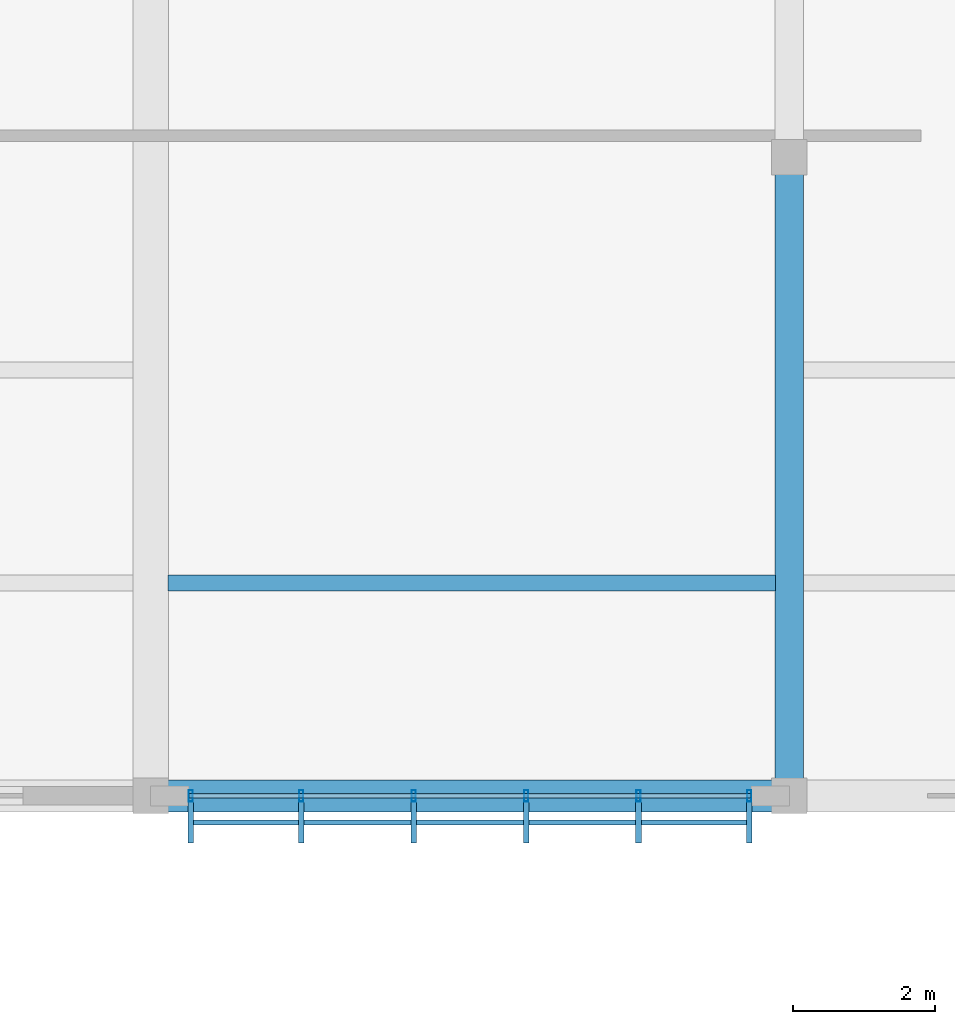
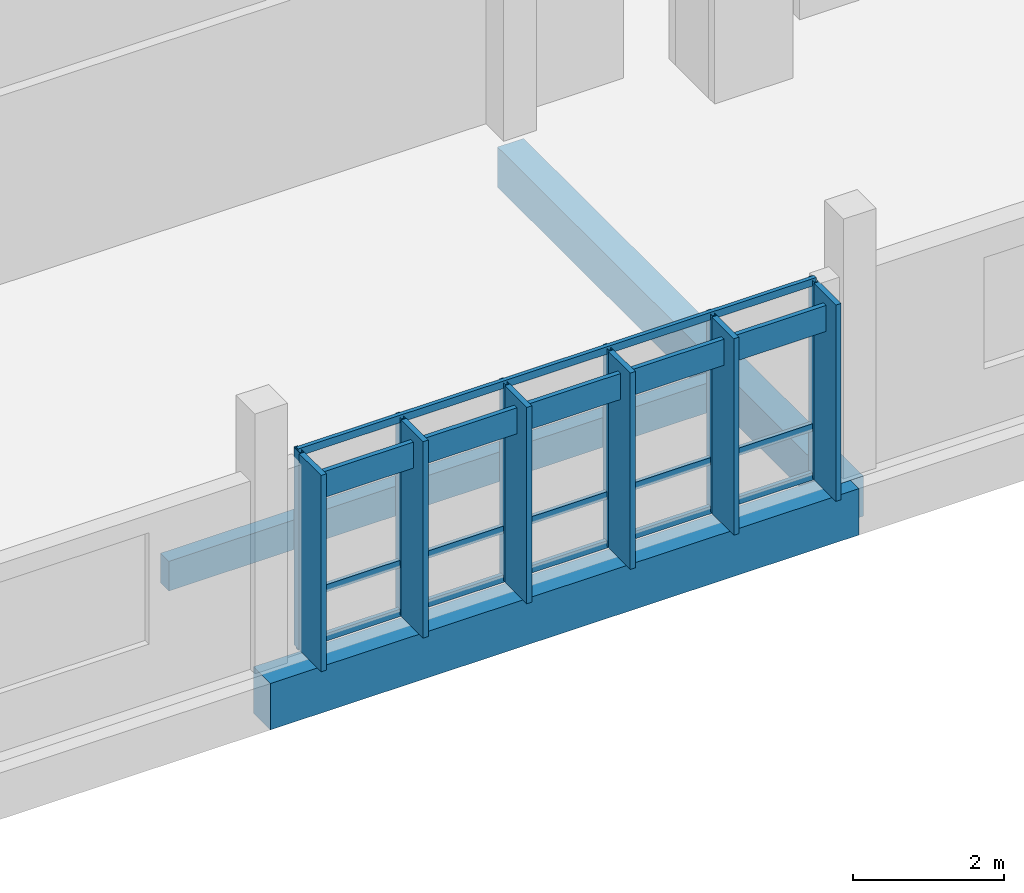
# One storey, part 41 of 107: 16 members, 3 beams, 1 element without a shape of its own.
"""IFC4 building model written with IfcOpenShell, lengths in metres."""

from ifc_helpers import new_model, si_unit, direction, frame, origin, origin_2d, place, context, subcontext, project, spatial, rectangle, hollow_rectangle, extrude, material, material_profile, profile_set, type_object, element, aggregate, save


model = new_model("IFC4")

# Units and contexts
model_context = context("Model", 3, precision=1e-05, world=origin(), true_north=direction((0.0, 1.0)))
body_context = subcontext(model_context, "Body", "Model", "MODEL_VIEW")
ifc_project = project(units=[si_unit("LENGTHUNIT", "METRE"), si_unit("AREAUNIT", "SQUARE_METRE"), si_unit("VOLUMEUNIT", "CUBIC_METRE"), si_unit("PLANEANGLEUNIT", "RADIAN"), si_unit("MASSUNIT", "GRAM", prefix="KILO")], contexts=[model_context])

# Site, building, storey
site_placement = place(None, origin())
site = spatial("IfcSite", under=ifc_project, at=site_placement, CompositionType="ELEMENT")
building_placement = place(site_placement, origin())
building = spatial("IfcBuilding", under=site, at=building_placement, Name="Chiffa Square Polytechnic", CompositionType="ELEMENT")
storey_placement = place(building_placement, frame((0.0, 0.0, 13.800048828125)))
storey = spatial("IfcBuildingStorey", under=building, at=storey_placement, Name="L03", CompositionType="ELEMENT", Elevation=13.800048828125)

# Beams
ifc_material_1 = material(Name="Concrete C35/45", Category="concrete")
ifc_material_profile_1 = material_profile(ifc_material_1, rectangle(XDim=0.39990234375, YDim=0.64990234375, at=origin_2d()), Name="RC 400x650")
ifc_profile_set_1 = profile_set([ifc_material_profile_1], Name="Concrete C35/45")
beam_type_1 = type_object("IfcBeamType", Name="BM-RC-400X650", PredefinedType="BEAM", material=ifc_profile_set_1)
beam_1_placement = place(storey_placement, frame((75.60009765625, 103.800048828125, -0.5849609375), z_axis=(0.0, 1.0, 0.0), x_axis=(-1.0, 0.0, 0.0)))
element("IfcBeam", 1, at=beam_1_placement, inside=storey, type_object=beam_type_1, Name="Primary floor girder BM-V5-L03-Y-0756-1038", PredefinedType="BEAM", context=body_context, shape_type="SweptSolid", body=[
    extrude(rectangle(XDim=0.39990234375, YDim=0.64990234375, at=origin_2d()), origin(), (0.0, 0.0, 1.0), 9.0),
])
ifc_material_profile_2 = material_profile(ifc_material_1, rectangle(XDim=0.449951171875, YDim=0.75, at=origin_2d()), Name="RC 450x750")
ifc_profile_set_2 = profile_set([ifc_material_profile_2], Name="Concrete C35/45")
beam_type_2 = type_object("IfcBeamType", Name="BM-RC-450X750", PredefinedType="BEAM", material=ifc_profile_set_2)
beam_2_placement = place(storey_placement, frame((66.60009765625, 103.800048828125, -0.635009765625), z_axis=(1.0, 0.0, 0.0), x_axis=(0.0, 1.0, 0.0)))
element("IfcBeam", 2, at=beam_2_placement, inside=storey, type_object=beam_type_2, Name="Primary floor girder BM-V5-L03-X-0666-1038", PredefinedType="BEAM", context=body_context, shape_type="SweptSolid", body=[
    extrude(rectangle(XDim=0.449951171875, YDim=0.75, at=origin_2d()), origin(), (0.0, 0.0, 1.0), 9.0),
])

# Curtain wall, members
ifc_material_2 = material(Name="Aluminium EN AW-6060 T66 and glulam shading", Category="wood")
curtain_wall_type = type_object("IfcCurtainWallType", Name="CW-VERT-450X380", PredefinedType="USERDEFINED", material=ifc_material_2)
curtain_wall_placement = place(storey_placement, origin())
curtain_wall = element("IfcCurtainWall", 3, at=curtain_wall_placement, inside=storey, type_object=curtain_wall_type, Name="Curtain wall CW-V5-L03-226", ObjectType="CURTAIN WALL", PredefinedType="USERDEFINED")
ifc_material_3 = material(Name="Aluminium EN AW-6060 T66", Category="aluminium")
ifc_material_profile_3 = material_profile(ifc_material_3, hollow_rectangle(XDim=0.06005859375, YDim=0.159912109375, WallThickness=0.00390625, at=origin_2d()), Name="ALU 60x160x4")
ifc_profile_set_3 = profile_set([ifc_material_profile_3], Name="Aluminium EN AW-6060 T66")
member_type_1 = type_object("IfcMemberType", Name="CWM-ALU-65X150", PredefinedType="MULLION", material=ifc_profile_set_3)
member_1_placement = place(storey_placement, frame((67.1650390625, 103.800048828125, 0.0), z_axis=(0.0, 0.0, 1.0), x_axis=(1.0, 0.0, 0.0)))
member_1 = element("IfcMember", 4, at=member_1_placement, type_object=member_type_1, Name="Curtain wall mullion CW-V5-L03-226-M00", PredefinedType="MULLION", context=body_context, shape_type="SweptSolid", body=[
    extrude(hollow_rectangle(XDim=0.06005859375, YDim=0.159912109375, WallThickness=0.00390625, at=origin_2d()), origin(), (0.0, 0.0, 1.0), 3.195068359375),
])
member_2_placement = place(storey_placement, frame((68.72412109375, 103.800048828125, 0.0), z_axis=(0.0, 0.0, 1.0), x_axis=(1.0, 0.0, 0.0)))
member_2 = element("IfcMember", 5, at=member_2_placement, type_object=member_type_1, Name="Curtain wall mullion CW-V5-L03-226-M01", PredefinedType="MULLION", context=body_context, shape_type="SweptSolid", body=[
    extrude(hollow_rectangle(XDim=0.06005859375, YDim=0.159912109375, WallThickness=0.00390625, at=origin_2d()), origin(), (0.0, 0.0, 1.0), 3.195068359375),
])
member_3_placement = place(storey_placement, frame((70.30810546875, 103.800048828125, 0.0), z_axis=(0.0, 0.0, 1.0), x_axis=(1.0, 0.0, 0.0)))
member_3 = element("IfcMember", 6, at=member_3_placement, type_object=member_type_1, Name="Curtain wall mullion CW-V5-L03-226-M02", PredefinedType="MULLION", context=body_context, shape_type="SweptSolid", body=[
    extrude(hollow_rectangle(XDim=0.06005859375, YDim=0.159912109375, WallThickness=0.00390625, at=origin_2d()), origin(), (0.0, 0.0, 1.0), 3.195068359375),
])
member_4_placement = place(storey_placement, frame((71.89208984375, 103.800048828125, 0.0), z_axis=(0.0, 0.0, 1.0), x_axis=(1.0, 0.0, 0.0)))
member_4 = element("IfcMember", 7, at=member_4_placement, type_object=member_type_1, Name="Curtain wall mullion CW-V5-L03-226-M03", PredefinedType="MULLION", context=body_context, shape_type="SweptSolid", body=[
    extrude(hollow_rectangle(XDim=0.06005859375, YDim=0.159912109375, WallThickness=0.00390625, at=origin_2d()), origin(), (0.0, 0.0, 1.0), 3.195068359375),
])
member_5_placement = place(storey_placement, frame((73.47607421875, 103.800048828125, 0.0), z_axis=(0.0, 0.0, 1.0), x_axis=(1.0, 0.0, 0.0)))
member_5 = element("IfcMember", 8, at=member_5_placement, type_object=member_type_1, Name="Curtain wall mullion CW-V5-L03-226-M04", PredefinedType="MULLION", context=body_context, shape_type="SweptSolid", body=[
    extrude(hollow_rectangle(XDim=0.06005859375, YDim=0.159912109375, WallThickness=0.00390625, at=origin_2d()), origin(), (0.0, 0.0, 1.0), 3.195068359375),
])
member_6_placement = place(storey_placement, frame((75.034912109375, 103.800048828125, 0.0), z_axis=(0.0, 0.0, 1.0), x_axis=(1.0, 0.0, 0.0)))
member_6 = element("IfcMember", 9, at=member_6_placement, type_object=member_type_1, Name="Curtain wall mullion CW-V5-L03-226-M05", PredefinedType="MULLION", context=body_context, shape_type="SweptSolid", body=[
    extrude(hollow_rectangle(XDim=0.06005859375, YDim=0.159912109375, WallThickness=0.00390625, at=origin_2d()), origin(), (0.0, 0.0, 1.0), 3.195068359375),
])
ifc_material_4 = material(Name="Glulam GL28h", Category="wood")
ifc_material_profile_4 = material_profile(ifc_material_4, rectangle(XDim=0.080078125, YDim=0.580078125, at=origin_2d()), Name="GL28h 80x580")
ifc_profile_set_4 = profile_set([ifc_material_profile_4], Name="Glulam GL28h")
member_type_2 = type_object("IfcMemberType", Name="CWM-GL-80X580", PredefinedType="MULLION", material=ifc_profile_set_4)
member_7_placement = place(storey_placement, frame((67.1650390625, 103.427978515625, 0.010009765625), z_axis=(0.0, 0.0, 1.0), x_axis=(1.0, 0.0, 0.0)))
member_7 = element("IfcMember", 10, at=member_7_placement, type_object=member_type_2, Name="Exterior glulam solar fin CW-V5-L03-226-FN00", PredefinedType="MULLION", context=body_context, shape_type="SweptSolid", body=[
    extrude(rectangle(XDim=0.080078125, YDim=0.580078125, at=origin_2d()), origin(), (0.0, 0.0, 1.0), 3.175048828125),
])
member_8_placement = place(storey_placement, frame((68.72412109375, 103.427978515625, 0.010009765625), z_axis=(0.0, 0.0, 1.0), x_axis=(1.0, 0.0, 0.0)))
member_8 = element("IfcMember", 11, at=member_8_placement, type_object=member_type_2, Name="Exterior glulam solar fin CW-V5-L03-226-FN01", PredefinedType="MULLION", context=body_context, shape_type="SweptSolid", body=[
    extrude(rectangle(XDim=0.080078125, YDim=0.580078125, at=origin_2d()), origin(), (0.0, 0.0, 1.0), 3.175048828125),
])
member_9_placement = place(storey_placement, frame((70.30810546875, 103.427978515625, 0.010009765625), z_axis=(0.0, 0.0, 1.0), x_axis=(1.0, 0.0, 0.0)))
member_9 = element("IfcMember", 12, at=member_9_placement, type_object=member_type_2, Name="Exterior glulam solar fin CW-V5-L03-226-FN02", PredefinedType="MULLION", context=body_context, shape_type="SweptSolid", body=[
    extrude(rectangle(XDim=0.080078125, YDim=0.580078125, at=origin_2d()), origin(), (0.0, 0.0, 1.0), 3.175048828125),
])
member_10_placement = place(storey_placement, frame((71.89208984375, 103.427978515625, 0.010009765625), z_axis=(0.0, 0.0, 1.0), x_axis=(1.0, 0.0, 0.0)))
member_10 = element("IfcMember", 13, at=member_10_placement, type_object=member_type_2, Name="Exterior glulam solar fin CW-V5-L03-226-FN03", PredefinedType="MULLION", context=body_context, shape_type="SweptSolid", body=[
    extrude(rectangle(XDim=0.080078125, YDim=0.580078125, at=origin_2d()), origin(), (0.0, 0.0, 1.0), 3.175048828125),
])
member_11_placement = place(storey_placement, frame((73.47607421875, 103.427978515625, 0.010009765625), z_axis=(0.0, 0.0, 1.0), x_axis=(1.0, 0.0, 0.0)))
member_11 = element("IfcMember", 14, at=member_11_placement, type_object=member_type_2, Name="Exterior glulam solar fin CW-V5-L03-226-FN04", PredefinedType="MULLION", context=body_context, shape_type="SweptSolid", body=[
    extrude(rectangle(XDim=0.080078125, YDim=0.580078125, at=origin_2d()), origin(), (0.0, 0.0, 1.0), 3.175048828125),
])
member_12_placement = place(storey_placement, frame((75.034912109375, 103.427978515625, 0.010009765625), z_axis=(0.0, 0.0, 1.0), x_axis=(1.0, 0.0, 0.0)))
member_12 = element("IfcMember", 15, at=member_12_placement, type_object=member_type_2, Name="Exterior glulam solar fin CW-V5-L03-226-FN05", PredefinedType="MULLION", context=body_context, shape_type="SweptSolid", body=[
    extrude(rectangle(XDim=0.080078125, YDim=0.580078125, at=origin_2d()), origin(), (0.0, 0.0, 1.0), 3.175048828125),
])
ifc_material_profile_5 = material_profile(ifc_material_3, hollow_rectangle(XDim=0.06005859375, YDim=0.1201171875, WallThickness=0.00390625, at=origin_2d()), Name="ALU 60x120x4")
ifc_profile_set_5 = profile_set([ifc_material_profile_5], Name="Aluminium EN AW-6060 T66")
member_type_3 = type_object("IfcMemberType", Name="CWT-ALU-65X120", PredefinedType="USERDEFINED", material=ifc_profile_set_5)
member_13_placement = place(storey_placement, frame((67.137939453125, 103.800048828125, 0.030029296875), z_axis=(1.0, 0.0, 0.0), x_axis=(0.0, 1.0, 0.0)))
member_13 = element("IfcMember", 16, at=member_13_placement, type_object=member_type_3, Name="Curtain wall transom CW-V5-L03-226-T01", ObjectType="TRANSOM", PredefinedType="USERDEFINED", context=body_context, shape_type="SweptSolid", body=[
    extrude(hollow_rectangle(XDim=0.06005859375, YDim=0.1201171875, WallThickness=0.00390625, at=origin_2d()), origin(), (0.0, 0.0, 1.0), 7.924072265625),
])
member_14_placement = place(storey_placement, frame((67.137939453125, 103.800048828125, 0.820068359375), z_axis=(1.0, 0.0, 0.0), x_axis=(0.0, 1.0, 0.0)))
member_14 = element("IfcMember", 17, at=member_14_placement, type_object=member_type_3, Name="Curtain wall transom CW-V5-L03-226-T02", ObjectType="TRANSOM", PredefinedType="USERDEFINED", context=body_context, shape_type="SweptSolid", body=[
    extrude(hollow_rectangle(XDim=0.06005859375, YDim=0.1201171875, WallThickness=0.00390625, at=origin_2d()), origin(), (0.0, 0.0, 1.0), 7.924072265625),
])
member_15_placement = place(storey_placement, frame((67.137939453125, 103.800048828125, 3.1650390625), z_axis=(1.0, 0.0, 0.0), x_axis=(0.0, 1.0, 0.0)))
member_15 = element("IfcMember", 18, at=member_15_placement, type_object=member_type_3, Name="Curtain wall transom CW-V5-L03-226-T03", ObjectType="TRANSOM", PredefinedType="USERDEFINED", context=body_context, shape_type="SweptSolid", body=[
    extrude(hollow_rectangle(XDim=0.06005859375, YDim=0.1201171875, WallThickness=0.00390625, at=origin_2d()), origin(), (0.0, 0.0, 1.0), 7.924072265625),
])
ifc_material_profile_6 = material_profile(ifc_material_4, rectangle(XDim=0.070068359375, YDim=0.419921875, at=origin_2d()), Name="GL28h 70x420")
ifc_profile_set_6 = profile_set([ifc_material_profile_6], Name="Glulam GL28h")
member_type_4 = type_object("IfcMemberType", Name="CWT-GL-70X420", PredefinedType="USERDEFINED", material=ifc_profile_set_6)
member_16_placement = place(storey_placement, frame((67.1650390625, 103.427978515625, 2.81494140625), z_axis=(1.0, 0.0, 0.0), x_axis=(0.0, 1.0, 0.0)))
member_16 = element("IfcMember", 19, at=member_16_placement, type_object=member_type_4, Name="Exterior glulam brise-soleil CW-V5-L03-226-BS01", ObjectType="TRANSOM", PredefinedType="USERDEFINED", context=body_context, shape_type="SweptSolid", body=[
    extrude(rectangle(XDim=0.070068359375, YDim=0.419921875, at=origin_2d()), origin(), (0.0, 0.0, 1.0), 7.869873046875),
])
aggregate(curtain_wall, [member_1, member_7, member_2, member_8, member_3, member_9, member_4, member_10, member_5, member_11, member_6, member_12, member_13, member_14, member_15, member_16])

# Beam
ifc_material_profile_7 = material_profile(ifc_material_4, rectangle(XDim=0.219970703125, YDim=0.47998046875, at=origin_2d()), Name="GL28h 220x480")
ifc_profile_set_7 = profile_set([ifc_material_profile_7], Name="Glulam GL28h")
beam_type_3 = type_object("IfcBeamType", Name="JST-GL-220X480", PredefinedType="JOIST", material=ifc_profile_set_7)
beam_3_placement = place(storey_placement, frame((66.847900390625, 106.800048828125, -0.5), z_axis=(1.0, 0.0, 0.0), x_axis=(0.0, 1.0, 0.0)))
element("IfcBeam", 20, at=beam_3_placement, inside=storey, type_object=beam_type_3, Name="Secondary floor joist JST-V5-L03-0666-1068", PredefinedType="JOIST", context=body_context, shape_type="SweptSolid", body=[
    extrude(rectangle(XDim=0.219970703125, YDim=0.47998046875, at=origin_2d()), origin(), (0.0, 0.0, 1.0), 8.55419921875),
])

save(model, "model.ifc")
